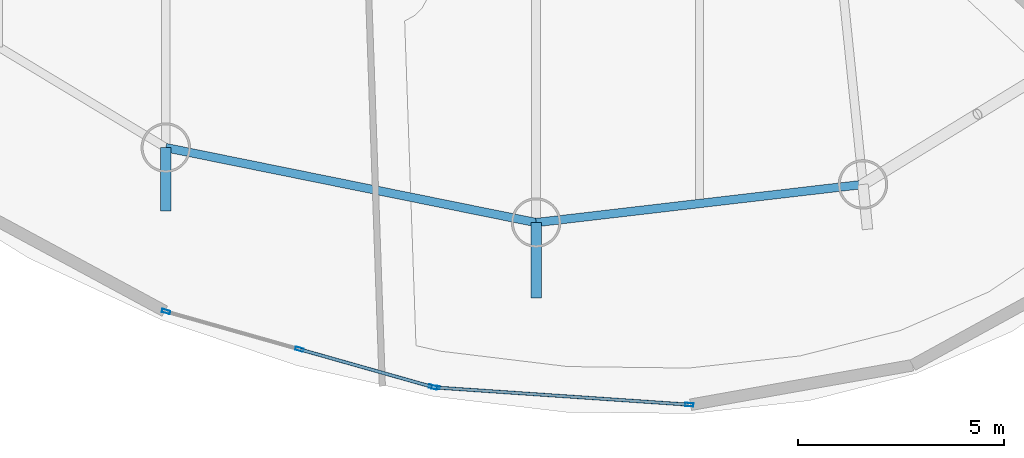
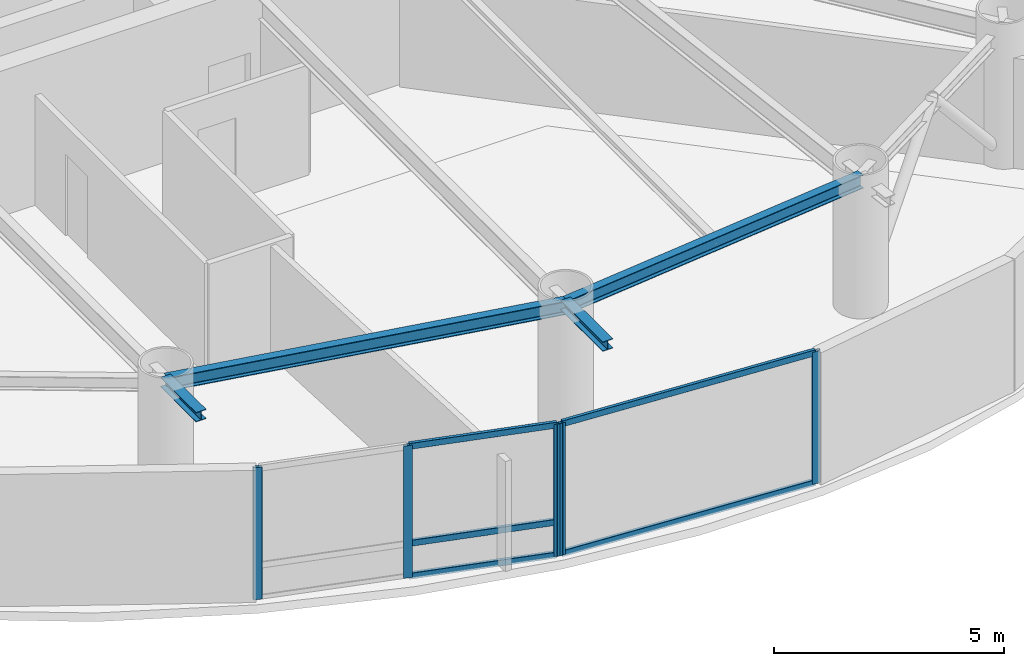
# One storey, part 2 of 18: 10 members, 4 beams, 2 elements without a shape of their own.
"""IFC4 building model written with IfcOpenShell, lengths in metres."""

from ifc_helpers import new_model, si_unit, direction, frame, origin, origin_2d, place, context, subcontext, project, spatial, hollow_rectangle, i_section, extrude, material, layer, layer_set, material_profile, profile_set, type_object, element, aggregate, save


model = new_model("IFC4")

# Units and contexts
model_context = context("Model", 3, precision=1e-05, world=origin(), true_north=direction((0.0, 1.0)))
body_context = subcontext(model_context, "Body", "Model", "MODEL_VIEW")
ifc_project = project(units=[si_unit("LENGTHUNIT", "METRE"), si_unit("AREAUNIT", "SQUARE_METRE"), si_unit("VOLUMEUNIT", "CUBIC_METRE"), si_unit("PLANEANGLEUNIT", "RADIAN"), si_unit("MASSUNIT", "GRAM", prefix="KILO")], contexts=[model_context])

# Site, building, storey
site_placement = place(None, origin())
site = spatial("IfcSite", under=ifc_project, at=site_placement, CompositionType="ELEMENT")
building_placement = place(site_placement, origin())
building = spatial("IfcBuilding", under=site, at=building_placement, Name="Bramvorn Convention Spire", CompositionType="ELEMENT")
storey_placement = place(building_placement, frame((0.0, 0.0, 232.800048828125)))
storey = spatial("IfcBuildingStorey", under=building, at=storey_placement, Name="L59", CompositionType="ELEMENT", Elevation=232.800048828125)

# Beams
ifc_material_1 = material(Name="Steel CSA G40.21 Grade 350 (350W)", Category="steel")
ifc_material_profile_1 = material_profile(ifc_material_1, i_section(OverallWidth=0.25390625, OverallDepth=0.2529296875, WebThickness=0.008544921875, FlangeThickness=0.01416015625, FilletRadius=0.011962890625, at=origin_2d()))
ifc_profile_set_1 = profile_set([ifc_material_profile_1], Name="Steel CSA G40.21 Grade 350 (350W) - W250X73")
beam_type_1 = type_object("IfcBeamType", Name="BM-W250X73", PredefinedType="BEAM", material=ifc_profile_set_1)
beam_1_placement = place(storey_placement, frame((33.61083984375, 7.227783203125, 3.37353515625), z_axis=(0.0, -1.0, 0.0), x_axis=(1.0, 0.0, 0.0)))
element("IfcBeam", 1, at=beam_1_placement, inside=storey, type_object=beam_type_1, Name="L59 slab-edge cantilever tip beam MC14", PredefinedType="BEAM", context=body_context, shape_type="SweptSolid", body=[
    extrude(i_section(OverallWidth=0.25390625, OverallDepth=0.2529296875, WebThickness=0.008544921875, FlangeThickness=0.01416015625, FilletRadius=0.011962890625, at=origin_2d()), origin(), (0.0, 0.0, 1.0), 1.539794921875),
])
beam_2_placement = place(storey_placement, frame((42.583740234375, 5.41162109375, 3.37353515625), z_axis=(0.0, -1.0, 0.0), x_axis=(1.0, 0.0, 0.0)))
element("IfcBeam", 2, at=beam_2_placement, inside=storey, type_object=beam_type_1, Name="L59 slab-edge cantilever tip beam MC15", PredefinedType="BEAM", context=body_context, shape_type="SweptSolid", body=[
    extrude(i_section(OverallWidth=0.25390625, OverallDepth=0.2529296875, WebThickness=0.008544921875, FlangeThickness=0.01416015625, FilletRadius=0.011962890625, at=origin_2d()), origin(), (0.0, 0.0, 1.0), 1.823974609375),
])
ifc_material_profile_2 = material_profile(ifc_material_1, i_section(OverallWidth=0.205078125, OverallDepth=0.35400390625, WebThickness=0.009521484375, FlangeThickness=0.016845703125, FilletRadius=0.014892578125, at=origin_2d()))
ifc_profile_set_2 = profile_set([ifc_material_profile_2], Name="Steel CSA G40.21 Grade 350 (350W) - W360X79")
beam_type_2 = type_object("IfcBeamType", Name="BM-W360X79", PredefinedType="JOIST", material=ifc_profile_set_2)
beam_3_placement = place(storey_placement, frame((33.61083984375, 7.227783203125, 3.322998046875), z_axis=(0.980124701676, -0.198382381187, 0.0), x_axis=(0.198382381187, 0.980124701676, 0.0)))
element("IfcBeam", 3, at=beam_3_placement, inside=storey, type_object=beam_type_2, Name="L59 mega-column ring beam 14", PredefinedType="JOIST", context=body_context, shape_type="SweptSolid", body=[
    extrude(i_section(OverallWidth=0.205078125, OverallDepth=0.35400390625, WebThickness=0.009521484375, FlangeThickness=0.016845703125, FilletRadius=0.014892578125, at=origin_2d()), origin(), (0.0, 0.0, 1.0), 9.15478515625),
])
beam_4_placement = place(storey_placement, frame((42.583740234375, 5.41162109375, 3.322998046875), z_axis=(0.993256148339, 0.115940604561, 0.0), x_axis=(-0.115940604561, 0.993256148339, 0.0)))
element("IfcBeam", 4, at=beam_4_placement, inside=storey, type_object=beam_type_2, Name="L59 mega-column ring beam 15", PredefinedType="JOIST", context=body_context, shape_type="SweptSolid", body=[
    extrude(i_section(OverallWidth=0.205078125, OverallDepth=0.35400390625, WebThickness=0.009521484375, FlangeThickness=0.016845703125, FilletRadius=0.014892578125, at=origin_2d()), origin(), (0.0, 0.0, 1.0), 7.974365234375),
])

# Curtain wall, members
ifc_material_2 = material(Name="Anodised Bronze Unitised Curtain Wall", Category="aluminium")
ifc_layer = layer(ifc_material_2, 0.179931640625)
ifc_layer_set = layer_set([ifc_layer], Name="Anodised Bronze Unitised Curtain Wall - CW-OFF-FRIT")
curtain_wall_type = type_object("IfcCurtainWallType", Name="CW-OFF-FRIT", PredefinedType="USERDEFINED", material=ifc_layer_set)
curtain_wall_1_placement = place(storey_placement, origin())
curtain_wall_1 = element("IfcCurtainWall", 5, at=curtain_wall_1_placement, inside=storey, type_object=curtain_wall_type, Name="L59 fritted glass curtain wall 21", ObjectType="UNITISED CURTAIN WALL", PredefinedType="USERDEFINED")
ifc_material_3 = material(Name="Anodised Bronze Aluminium 6063-T6", Category="aluminium")
ifc_material_profile_3 = material_profile(ifc_material_3, hollow_rectangle(XDim=0.080078125, YDim=0.199951171875, WallThickness=0.00390625, InnerFilletRadius=0.0009765625, OuterFilletRadius=0.00390625, at=origin_2d()))
ifc_profile_set_3 = profile_set([ifc_material_profile_3], Name="Anodised Bronze Aluminium 6063-T6 - CWM80X200")
member_type_1 = type_object("IfcMemberType", Name="CW-MUL-180", PredefinedType="MULLION", material=ifc_profile_set_3)
member_1_placement = place(storey_placement, frame((40.086669921875, 1.42529296875, 0.0), z_axis=(0.0, 0.0, 1.0), x_axis=(-0.27224007084, -0.962229361342, 0.0)))
member_1 = element("IfcMember", 6, at=member_1_placement, type_object=member_type_1, Name="CW3 mullion 1", PredefinedType="MULLION", context=body_context, shape_type="SweptSolid", body=[
    extrude(hollow_rectangle(XDim=0.080078125, YDim=0.199951171875, WallThickness=0.00390625, InnerFilletRadius=0.0009765625, OuterFilletRadius=0.00390625, at=origin_2d()), origin(), (0.0, 0.0, 1.0), 3.5),
])
member_2_placement = place(storey_placement, frame((36.8515625, 2.340576171875, 0.0), z_axis=(0.0, 0.0, 1.0), x_axis=(-0.27224007084, -0.962229361342, 0.0)))
member_2 = element("IfcMember", 7, at=member_2_placement, type_object=member_type_1, Name="CW3 mullion 2", PredefinedType="MULLION", context=body_context, shape_type="SweptSolid", body=[
    extrude(hollow_rectangle(XDim=0.080078125, YDim=0.199951171875, WallThickness=0.00390625, InnerFilletRadius=0.0009765625, OuterFilletRadius=0.00390625, at=origin_2d()), origin(), (0.0, 0.0, 1.0), 3.5),
])
member_3_placement = place(storey_placement, frame((33.6162109375, 3.255859375, 0.0), z_axis=(0.0, 0.0, 1.0), x_axis=(-0.27224007084, -0.962229361342, 0.0)))
member_3 = element("IfcMember", 8, at=member_3_placement, type_object=member_type_1, Name="CW3 mullion 3", PredefinedType="MULLION", context=body_context, shape_type="SweptSolid", body=[
    extrude(hollow_rectangle(XDim=0.080078125, YDim=0.199951171875, WallThickness=0.00390625, InnerFilletRadius=0.0009765625, OuterFilletRadius=0.00390625, at=origin_2d()), origin(), (0.0, 0.0, 1.0), 3.5),
])

curtain_wall_2_placement = place(storey_placement, origin())
curtain_wall_2 = element("IfcCurtainWall", 9, at=curtain_wall_2_placement, inside=storey, type_object=curtain_wall_type, Name="L59 fritted glass curtain wall 22", ObjectType="UNITISED CURTAIN WALL", PredefinedType="USERDEFINED")
member_4_placement = place(storey_placement, frame((46.2978515625, 0.998779296875, 0.0), z_axis=(0.0, 0.0, 1.0), x_axis=(-0.06750287005, -0.997719079969, 0.0)))
member_4 = element("IfcMember", 10, at=member_4_placement, type_object=member_type_1, Name="CW3 mullion 1", PredefinedType="MULLION", context=body_context, shape_type="SweptSolid", body=[
    extrude(hollow_rectangle(XDim=0.080078125, YDim=0.199951171875, WallThickness=0.00390625, InnerFilletRadius=0.0009765625, OuterFilletRadius=0.00390625, at=origin_2d()), origin(), (0.0, 0.0, 1.0), 3.5),
])
member_5_placement = place(storey_placement, frame((40.1455078125, 1.4150390625, 0.0), z_axis=(0.0, 0.0, 1.0), x_axis=(-0.06750287005, -0.997719079969, 0.0)))
member_5 = element("IfcMember", 11, at=member_5_placement, type_object=member_type_1, Name="CW3 mullion 2", PredefinedType="MULLION", context=body_context, shape_type="SweptSolid", body=[
    extrude(hollow_rectangle(XDim=0.080078125, YDim=0.199951171875, WallThickness=0.00390625, InnerFilletRadius=0.0009765625, OuterFilletRadius=0.00390625, at=origin_2d()), origin(), (0.0, 0.0, 1.0), 3.5),
])

# Member
ifc_material_profile_4 = material_profile(ifc_material_3, hollow_rectangle(XDim=0.080078125, YDim=0.159912109375, WallThickness=0.00390625, InnerFilletRadius=0.0009765625, OuterFilletRadius=0.00390625, at=origin_2d()))
ifc_profile_set_4 = profile_set([ifc_material_profile_4], Name="Anodised Bronze Aluminium 6063-T6 - CWT80X160")
member_type_2 = type_object("IfcMemberType", Name="CW-TRN-150", PredefinedType="USERDEFINED", material=ifc_profile_set_4)
member_6_placement = place(storey_placement, frame((40.057861328125, 1.433349609375, 0.030029296875), z_axis=(-0.962215548599, 0.272288887091, 0.0), x_axis=(-0.272288887091, -0.962215548599, 0.0)))
member_6 = element("IfcMember", 12, at=member_6_placement, type_object=member_type_2, Name="CW3 transom 1.1", ObjectType="TRANSOM", PredefinedType="USERDEFINED", context=body_context, shape_type="SweptSolid", body=[
    extrude(hollow_rectangle(XDim=0.080078125, YDim=0.159912109375, WallThickness=0.00390625, InnerFilletRadius=0.0009765625, OuterFilletRadius=0.00390625, at=origin_2d()), origin(), (0.0, 0.0, 1.0), 3.30224609375),
])

member_7_placement = place(storey_placement, frame((40.057861328125, 1.433349609375, 0.89990234375), z_axis=(-0.962215548599, 0.272288887091, 0.0), x_axis=(-0.272288887091, -0.962215548599, 0.0)))
member_7 = element("IfcMember", 13, at=member_7_placement, type_object=member_type_2, Name="CW3 transom 1.2", ObjectType="TRANSOM", PredefinedType="USERDEFINED", context=body_context, shape_type="SweptSolid", body=[
    extrude(hollow_rectangle(XDim=0.080078125, YDim=0.159912109375, WallThickness=0.00390625, InnerFilletRadius=0.0009765625, OuterFilletRadius=0.00390625, at=origin_2d()), origin(), (0.0, 0.0, 1.0), 3.30224609375),
])

member_8_placement = place(storey_placement, frame((40.057861328125, 1.433349609375, 3.469970703125), z_axis=(-0.962215548599, 0.272288887091, 0.0), x_axis=(-0.272288887091, -0.962215548599, 0.0)))
member_8 = element("IfcMember", 14, at=member_8_placement, type_object=member_type_2, Name="CW3 transom 1.3", ObjectType="TRANSOM", PredefinedType="USERDEFINED", context=body_context, shape_type="SweptSolid", body=[
    extrude(hollow_rectangle(XDim=0.080078125, YDim=0.159912109375, WallThickness=0.00390625, InnerFilletRadius=0.0009765625, OuterFilletRadius=0.00390625, at=origin_2d()), origin(), (0.0, 0.0, 1.0), 3.30224609375),
])

aggregate(curtain_wall_1, [member_1, member_2, member_3, member_6, member_7, member_8])

member_9_placement = place(storey_placement, frame((46.267822265625, 1.000732421875, 0.030029296875), z_axis=(-0.997717241889, 0.067530032121, 0.0), x_axis=(-0.067530032121, -0.997717241889, 0.0)))
member_9 = element("IfcMember", 15, at=member_9_placement, type_object=member_type_2, Name="CW3 transom 1.1", ObjectType="TRANSOM", PredefinedType="USERDEFINED", context=body_context, shape_type="SweptSolid", body=[
    extrude(hollow_rectangle(XDim=0.080078125, YDim=0.159912109375, WallThickness=0.00390625, InnerFilletRadius=0.0009765625, OuterFilletRadius=0.00390625, at=origin_2d()), origin(), (0.0, 0.0, 1.0), 6.106201171875),
])

member_10_placement = place(storey_placement, frame((46.267822265625, 1.000732421875, 3.469970703125), z_axis=(-0.997717241889, 0.067530032121, 0.0), x_axis=(-0.067530032121, -0.997717241889, 0.0)))
member_10 = element("IfcMember", 16, at=member_10_placement, type_object=member_type_2, Name="CW3 transom 1.2", ObjectType="TRANSOM", PredefinedType="USERDEFINED", context=body_context, shape_type="SweptSolid", body=[
    extrude(hollow_rectangle(XDim=0.080078125, YDim=0.159912109375, WallThickness=0.00390625, InnerFilletRadius=0.0009765625, OuterFilletRadius=0.00390625, at=origin_2d()), origin(), (0.0, 0.0, 1.0), 6.106201171875),
])

aggregate(curtain_wall_2, [member_4, member_5, member_9, member_10])

save(model, "model.ifc")
